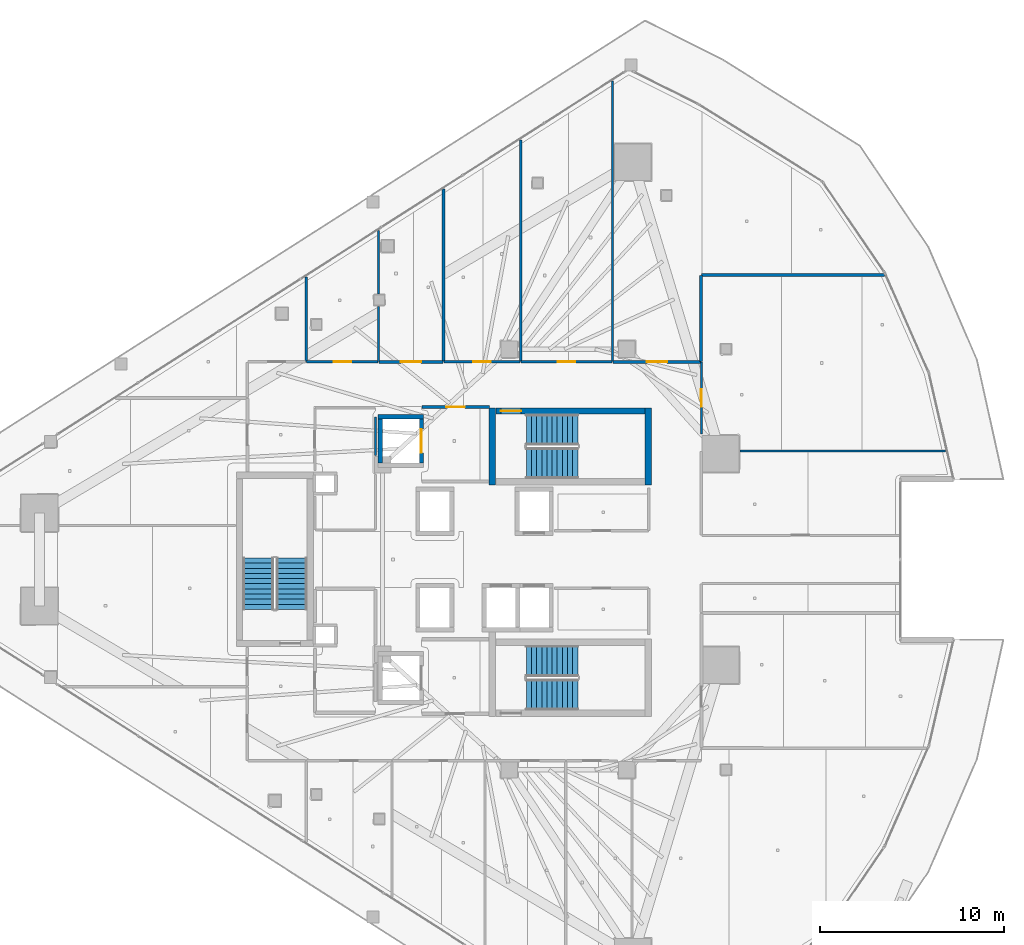
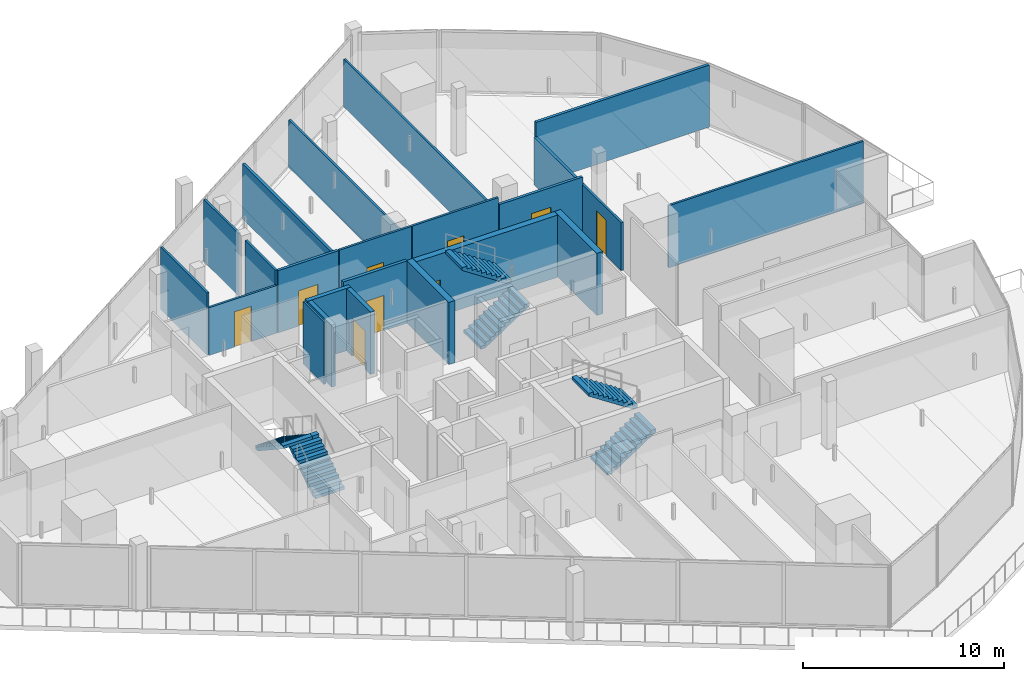
# One storey, part 24 of 33: 23 walls, 9 doors, 6 stair flights, 9 openings, 3 elements without a shape of their own.
"""IFC4 building model written with IfcOpenShell, lengths in metres."""

from ifc_helpers import new_model, si_unit, direction, frame, frame_2d, origin, place, context, subcontext, project, spatial, polyline, rectangle, outline, extrude, material, layer, layer_set, type_object, element, fill, aggregate, save


model = new_model("IFC4")

# Units and contexts
model_context = context("Model", 3, precision=1e-05, world=origin(), true_north=direction((0.0, 1.0)))
body_context = subcontext(model_context, "Body", "Model", "MODEL_VIEW")
ifc_project = project(units=[si_unit("LENGTHUNIT", "METRE"), si_unit("AREAUNIT", "SQUARE_METRE"), si_unit("VOLUMEUNIT", "CUBIC_METRE"), si_unit("PLANEANGLEUNIT", "RADIAN"), si_unit("MASSUNIT", "GRAM", prefix="KILO")], contexts=[model_context])

# Site, building, storey
site_placement = place(None, origin())
site = spatial("IfcSite", under=ifc_project, at=site_placement, CompositionType="ELEMENT")
building_placement = place(site_placement, origin())
building = spatial("IfcBuilding", under=site, at=building_placement, Name="Qorvath Tower", CompositionType="ELEMENT")
storey_placement = place(building_placement, frame((0.0, 0.0, 209.10009765625)))
storey = spatial("IfcBuildingStorey", under=building, at=storey_placement, Name="L48", CompositionType="ELEMENT", Elevation=209.10009765625)

# Wall, opening, door
ifc_material_1 = material(Name="Gypsum shaftliner on steel studs", Category="steel")
ifc_layer_1 = layer(ifc_material_1, 0.179931640625)
ifc_layer_set_1 = layer_set([ifc_layer_1], Name="FW-LOBBY")
wall_type_1 = type_object("IfcWallType", Name="FW-LOBBY", PredefinedType="PARTITIONING", material=ifc_layer_set_1)
wall_1_placement = place(storey_placement, frame((-24.68408203125, 8.300048828125, 0.0), z_axis=(0.0, 0.0, 1.0), x_axis=(-1.0, 0.0, 0.0)))
wall_1 = element("IfcWall", 1, at=wall_1_placement, inside=storey, type_object=wall_type_1, Name="Interior Partition IW-T1-L48-002", PredefinedType="PARTITIONING", context=body_context, shape_type="SweptSolid", body=[
    extrude(rectangle(XDim=3.6708984375, YDim=0.179931640625, at=frame_2d((1.83544921875, 0.0))), origin(), (0.0, 0.0, 1.0), 3.77978515625),
])
opening_1_placement = place(wall_1_placement, frame((1.33544921875, 0.0, 0.0)))
opening_1 = element("IfcOpeningElement", 2, at=opening_1_placement, cuts=wall_1, Name="Opening D-T1-L48-21", PredefinedType="OPENING", context=body_context, shape_type="SweptSolid", body=[
    extrude(rectangle(XDim=1.0, YDim=2.14990234375, at=frame_2d((0.5, 1.074951171875))), frame((0.0, 0.10009765625, 0.0), z_axis=(0.0, -1.0, 0.0), x_axis=(1.0, 0.0, 0.0)), (0.0, 0.0, 1.0), 0.199951171875),
])
ifc_material_2 = material(Name="Painted galvanised hollow metal", Category="steel")
door_type_1 = type_object("IfcDoorType", Name="FD-60", OperationType="NOTDEFINED", PredefinedType="DOOR", material=ifc_material_2)
door_1_placement = place(opening_1_placement, origin())
door_1 = element("IfcDoor", 3, at=door_1_placement, inside=storey, type_object=door_type_1, Name="Lobby Fire Service Elevator North Door D-T1-L48-21", OperationType="SINGLE_SWING_LEFT", OverallHeight=2.14990234375, OverallWidth=1.0, PredefinedType="DOOR", context=body_context, shape_type="SweptSolid", body=[
    extrude(rectangle(XDim=1.0, YDim=2.14990234375, at=frame_2d((0.5, 1.074951171875))), frame((0.0, 0.02490234375, 0.0), z_axis=(0.0, -1.0, 0.0), x_axis=(1.0, 0.0, 0.0)), (0.0, 0.0, 1.0), 0.050048828125),
])
fill(opening_1, door_1)

ifc_material_3 = material(Name="Double acoustic gypsum board on steel studs", Category="steel")
ifc_layer_2 = layer(ifc_material_3, 0.159912109375)
ifc_layer_set_2 = layer_set([ifc_layer_2], Name="IW-ACOUSTIC-160")
wall_type_2 = type_object("IfcWallType", Name="IW-ACOUSTIC-160", PredefinedType="PARTITIONING", material=ifc_layer_set_2)
wall_2_placement = place(storey_placement, frame((-30.68798828125, 10.758056640625, 0.0), z_axis=(0.0, 0.0, 1.0), x_axis=(1.0, 0.0, 0.0)))
wall_2 = element("IfcWall", 4, at=wall_2_placement, inside=storey, type_object=wall_type_2, Name="Interior Partition IW-T1-L48-025", PredefinedType="PARTITIONING", context=body_context, shape_type="SweptSolid", body=[
    extrude(rectangle(XDim=3.4814453125, YDim=0.159912109375, at=frame_2d((1.74072265625, 0.0))), origin(), (0.0, 0.0, 1.0), 3.77978515625),
])
opening_2_placement = place(wall_2_placement, frame((1.190673828125, 0.0, 0.0)))
opening_2 = element("IfcOpeningElement", 5, at=opening_2_placement, cuts=wall_2, Name="Opening D-T1-L48-06", PredefinedType="OPENING", context=body_context, shape_type="SweptSolid", body=[
    extrude(rectangle(XDim=1.10009765625, YDim=2.14990234375, at=frame_2d((0.550048828125, 1.074951171875))), frame((0.0, 0.08984375, 0.0), z_axis=(0.0, -1.0, 0.0), x_axis=(1.0, 0.0, 0.0)), (0.0, 0.0, 1.0), 0.179931640625),
])
ifc_material_4 = material(Name="Anodised aluminium acoustic framed glass", Category="aluminium")
door_type_2 = type_object("IfcDoorType", Name="D-03", OperationType="NOTDEFINED", PredefinedType="DOOR", material=ifc_material_4)
door_2_placement = place(opening_2_placement, origin())
door_2 = element("IfcDoor", 6, at=door_2_placement, inside=storey, type_object=door_type_2, Name="L48-02 Enclosed Conference Suite Door D-T1-L48-06", OperationType="SINGLE_SWING_RIGHT", OverallHeight=2.14990234375, OverallWidth=1.10009765625, PredefinedType="DOOR", context=body_context, shape_type="SweptSolid", body=[
    extrude(rectangle(XDim=1.10009765625, YDim=2.14990234375, at=frame_2d((0.550048828125, 1.074951171875))), frame((0.0, 0.02490234375, 0.0), z_axis=(0.0, -1.0, 0.0), x_axis=(1.0, 0.0, 0.0)), (0.0, 0.0, 1.0), 0.050048828125),
])
fill(opening_2, door_2)

# Wall
wall_3_placement = place(storey_placement, frame((-27.181640625, 10.783203125, 0.0), z_axis=(0.0, 0.0, 1.0), x_axis=(0.0, 1.0, 0.0)))
element("IfcWall", 7, at=wall_3_placement, inside=storey, type_object=wall_type_2, Name="Interior Partition IW-T1-L48-026", PredefinedType="PARTITIONING", context=body_context, shape_type="SweptSolid", body=[
    extrude(rectangle(XDim=9.377685546875, YDim=0.159912109375, at=frame_2d((4.68896484375, 0.0))), origin(), (0.0, 0.0, 1.0), 3.343994140625),
])

# Wall, opening, door
wall_4_placement = place(storey_placement, frame((-17.948486328125, 10.758056640625, 0.0), z_axis=(0.0, 0.0, 1.0), x_axis=(1.0, 0.0, 0.0)))
wall_4 = element("IfcWall", 8, at=wall_4_placement, inside=storey, type_object=wall_type_2, Name="Interior Partition IW-T1-L48-031", PredefinedType="PARTITIONING", context=body_context, shape_type="SweptSolid", body=[
    extrude(rectangle(XDim=4.773681640625, YDim=0.159912109375, at=frame_2d((2.38671875, 0.0))), origin(), (0.0, 0.0, 1.0), 3.343994140625),
])
opening_3_placement = place(wall_4_placement, frame((1.8369140625, 0.0, 0.0)))
opening_3 = element("IfcOpeningElement", 9, at=opening_3_placement, cuts=wall_4, Name="Opening D-T1-L48-09", PredefinedType="OPENING", context=body_context, shape_type="SweptSolid", body=[
    extrude(rectangle(XDim=1.10009765625, YDim=2.14990234375, at=frame_2d((0.550048828125, 1.074951171875))), frame((0.0, 0.08984375, 0.0), z_axis=(0.0, -1.0, 0.0), x_axis=(1.0, 0.0, 0.0)), (0.0, 0.0, 1.0), 0.179931640625),
])
door_3_placement = place(opening_3_placement, origin())
door_3 = element("IfcDoor", 10, at=door_3_placement, inside=storey, type_object=door_type_2, Name="L48-05 Client Services Office Door D-T1-L48-09", OperationType="SINGLE_SWING_LEFT", OverallHeight=2.14990234375, OverallWidth=1.10009765625, PredefinedType="DOOR", context=body_context, shape_type="SweptSolid", body=[
    extrude(rectangle(XDim=1.10009765625, YDim=2.14990234375, at=frame_2d((0.550048828125, 1.074951171875))), frame((0.0, 0.02490234375, 0.0), z_axis=(0.0, -1.0, 0.0), x_axis=(1.0, 0.0, 0.0)), (0.0, 0.0, 1.0), 0.050048828125),
])
fill(opening_3, door_3)

# Walls
wall_5_placement = place(storey_placement, frame((-13.14990234375, 15.452880859375, 0.0), z_axis=(0.0, 0.0, 1.0), x_axis=(0.0, -1.0, 0.0)))
element("IfcWall", 11, at=wall_5_placement, inside=storey, type_object=wall_type_2, Name="Interior Partition IW-T1-L48-032", PredefinedType="PARTITIONING", context=body_context, shape_type="SweptSolid", body=[
    extrude(rectangle(XDim=4.669677734375, YDim=0.159912109375, at=frame_2d((2.3349609375, 0.0))), origin(), (0.0, 0.0, 1.0), 2.899658203125),
])
wall_6_placement = place(storey_placement, frame((-13.125, 15.47802734375, 0.0), z_axis=(0.0, 0.0, 1.0), x_axis=(0.999999153788, 0.001300931643, 0.0)))
element("IfcWall", 12, at=wall_6_placement, inside=storey, type_object=wall_type_2, Name="Interior Partition IW-T1-L48-033", PredefinedType="PARTITIONING", context=body_context, shape_type="SweptSolid", body=[
    extrude(rectangle(XDim=9.9462890625, YDim=0.159912109375, at=frame_2d((4.97314453125, 0.0))), origin(), (0.0, 0.0, 1.0), 3.77978515625),
])

# Wall, opening, door
ifc_material_5 = material(Name="Gypsum board on metal studs with mineral wool", Category="gypsum")
ifc_layer_3 = layer(ifc_material_5, 0.125)
ifc_layer_set_3 = layer_set([ifc_layer_3], Name="IW-PART-125")
wall_type_3 = type_object("IfcWallType", Name="IW-PART-125", PredefinedType="PARTITIONING", material=ifc_layer_set_3)
wall_7_placement = place(storey_placement, frame((-34.625, 10.758056640625, 0.0), z_axis=(0.0, 0.0, 1.0), x_axis=(1.0, 0.0, 0.0)))
wall_7 = element("IfcWall", 13, at=wall_7_placement, inside=storey, type_object=wall_type_3, Name="Interior Partition IW-T1-L48-021", PredefinedType="PARTITIONING", context=body_context, shape_type="SweptSolid", body=[
    extrude(rectangle(XDim=3.87890625, YDim=0.125, at=frame_2d((1.939453125, 0.0))), origin(), (0.0, 0.0, 1.0), 2.899658203125),
])
opening_4_placement = place(wall_7_placement, frame((1.46435546875, 0.0, 0.0)))
opening_4 = element("IfcOpeningElement", 14, at=opening_4_placement, cuts=wall_7, Name="Opening D-T1-L48-05", PredefinedType="OPENING", context=body_context, shape_type="SweptSolid", body=[
    extrude(rectangle(XDim=0.949951171875, YDim=2.14990234375, at=frame_2d((0.47509765625, 1.074951171875))), frame((0.0, 0.072509765625, 0.0), z_axis=(0.0, -1.0, 0.0), x_axis=(1.0, 0.0, 0.0)), (0.0, 0.0, 1.0), 0.14501953125),
])
ifc_material_6 = material(Name="Solid-core American white oak veneer", Category="wood")
door_type_3 = type_object("IfcDoorType", Name="D-01", OperationType="NOTDEFINED", PredefinedType="DOOR", material=ifc_material_6)
door_4_placement = place(opening_4_placement, origin())
door_4 = element("IfcDoor", 15, at=door_4_placement, inside=storey, type_object=door_type_3, Name="L48-01 Open Workplace Studio Door D-T1-L48-05", OperationType="SINGLE_SWING_LEFT", OverallHeight=2.14990234375, OverallWidth=0.949951171875, PredefinedType="DOOR", context=body_context, shape_type="SweptSolid", body=[
    extrude(rectangle(XDim=0.949951171875, YDim=2.14990234375, at=frame_2d((0.47509765625, 1.074951171875))), frame((0.0, 0.02490234375, 0.0), z_axis=(0.0, -1.0, 0.0), x_axis=(1.0, 0.0, 0.0)), (0.0, 0.0, 1.0), 0.050048828125),
])
fill(opening_4, door_4)

# Walls
wall_8_placement = place(storey_placement, frame((-30.72119140625, 10.783203125, 0.0), z_axis=(0.0, 0.0, 1.0), x_axis=(0.0, 1.0, 0.0)))
element("IfcWall", 16, at=wall_8_placement, inside=storey, type_object=wall_type_3, Name="Interior Partition IW-T1-L48-022", PredefinedType="PARTITIONING", context=body_context, shape_type="SweptSolid", body=[
    extrude(rectangle(XDim=3.0009765625, YDim=0.125, at=frame_2d((1.50048828125, 0.0))), origin(), (0.0, 0.0, 1.0), 3.77978515625),
])
wall_9_placement = place(storey_placement, frame((-30.72119140625, 14.46435546875, 0.0), z_axis=(0.0, 0.0, 1.0), x_axis=(0.0, 1.0, 0.0)))
element("IfcWall", 17, at=wall_9_placement, inside=storey, type_object=wall_type_3, Name="Interior Partition IW-T1-L48-023", PredefinedType="PARTITIONING", context=body_context, shape_type="SweptSolid", body=[
    extrude(rectangle(XDim=3.43408203125, YDim=0.125, at=frame_2d((1.717041015625, 0.0))), origin(), (0.0, 0.0, 1.0), 3.77978515625),
])
wall_10_placement = place(storey_placement, frame((-34.64990234375, 15.3876953125, 0.0), z_axis=(0.0, 0.0, 1.0), x_axis=(0.0, -1.0, 0.0)))
element("IfcWall", 18, at=wall_10_placement, inside=storey, type_object=wall_type_3, Name="Interior Partition IW-T1-L48-024", PredefinedType="PARTITIONING", context=body_context, shape_type="SweptSolid", body=[
    extrude(rectangle(XDim=4.6044921875, YDim=0.125, at=frame_2d((2.30224609375, 0.0))), origin(), (0.0, 0.0, 1.0), 3.77978515625),
])

# Wall, opening, door
wall_11_placement = place(storey_placement, frame((-27.148681640625, 10.758056640625, 0.0), z_axis=(0.0, 0.0, 1.0), x_axis=(1.0, 0.0, 0.0)))
wall_11 = element("IfcWall", 19, at=wall_11_placement, inside=storey, type_object=wall_type_3, Name="Interior Partition IW-T1-L48-027", PredefinedType="PARTITIONING", context=body_context, shape_type="SweptSolid", body=[
    extrude(rectangle(XDim=4.14306640625, YDim=0.125, at=frame_2d((2.071533203125, 0.0))), origin(), (0.0, 0.0, 1.0), 3.77978515625),
])
opening_5_placement = place(wall_11_placement, frame((1.596435546875, 0.0, 0.0)))
opening_5 = element("IfcOpeningElement", 20, at=opening_5_placement, cuts=wall_11, Name="Opening D-T1-L48-07", PredefinedType="OPENING", context=body_context, shape_type="SweptSolid", body=[
    extrude(rectangle(XDim=0.949951171875, YDim=2.14990234375, at=frame_2d((0.47509765625, 1.074951171875))), frame((0.0, 0.072509765625, 0.0), z_axis=(0.0, -1.0, 0.0), x_axis=(1.0, 0.0, 0.0)), (0.0, 0.0, 1.0), 0.14501953125),
])
door_5_placement = place(opening_5_placement, origin())
door_5 = element("IfcDoor", 21, at=door_5_placement, inside=storey, type_object=door_type_3, Name="L48-03 Focus Collaboration Pod Door D-T1-L48-07", OperationType="SINGLE_SWING_LEFT", OverallHeight=2.14990234375, OverallWidth=0.949951171875, PredefinedType="DOOR", context=body_context, shape_type="SweptSolid", body=[
    extrude(rectangle(XDim=0.949951171875, YDim=2.14990234375, at=frame_2d((0.47509765625, 1.074951171875))), frame((0.0, 0.02490234375, 0.0), z_axis=(0.0, -1.0, 0.0), x_axis=(1.0, 0.0, 0.0)), (0.0, 0.0, 1.0), 0.050048828125),
])
fill(opening_5, door_5)

# Wall
wall_12_placement = place(storey_placement, frame((-22.980712890625, 10.783203125, 0.0), z_axis=(0.0, 0.0, 1.0), x_axis=(0.0, 1.0, 0.0)))
element("IfcWall", 22, at=wall_12_placement, inside=storey, type_object=wall_type_3, Name="Interior Partition IW-T1-L48-028", PredefinedType="PARTITIONING", context=body_context, shape_type="SweptSolid", body=[
    extrude(rectangle(XDim=12.0625, YDim=0.125, at=frame_2d((6.03125, 0.0))), origin(), (0.0, 0.0, 1.0), 2.894775390625),
])

# Wall, opening, door
wall_13_placement = place(storey_placement, frame((-22.947998046875, 10.758056640625, 0.0), z_axis=(0.0, 0.0, 1.0), x_axis=(1.0, 0.0, 0.0)))
wall_13 = element("IfcWall", 23, at=wall_13_placement, inside=storey, type_object=wall_type_3, Name="Interior Partition IW-T1-L48-029", PredefinedType="PARTITIONING", context=body_context, shape_type="SweptSolid", body=[
    extrude(rectangle(XDim=4.941650390625, YDim=0.125, at=frame_2d((2.470703125, 0.0))), origin(), (0.0, 0.0, 1.0), 3.77978515625),
])
opening_6_placement = place(wall_13_placement, frame((1.995849609375, 0.0, 0.0)))
opening_6 = element("IfcOpeningElement", 24, at=opening_6_placement, cuts=wall_13, Name="Opening D-T1-L48-08", PredefinedType="OPENING", context=body_context, shape_type="SweptSolid", body=[
    extrude(rectangle(XDim=0.949951171875, YDim=2.14990234375, at=frame_2d((0.47509765625, 1.074951171875))), frame((0.0, 0.072509765625, 0.0), z_axis=(0.0, -1.0, 0.0), x_axis=(1.0, 0.0, 0.0)), (0.0, 0.0, 1.0), 0.14501953125),
])
door_6_placement = place(opening_6_placement, origin())
door_6 = element("IfcDoor", 25, at=door_6_placement, inside=storey, type_object=door_type_3, Name="L48-04 Staff Refreshment Pantry and Coffee Bar Door D-T1-L48-08", OperationType="SINGLE_SWING_RIGHT", OverallHeight=2.14990234375, OverallWidth=0.949951171875, PredefinedType="DOOR", context=body_context, shape_type="SweptSolid", body=[
    extrude(rectangle(XDim=0.949951171875, YDim=2.14990234375, at=frame_2d((0.47509765625, 1.074951171875))), frame((0.0, 0.02490234375, 0.0), z_axis=(0.0, -1.0, 0.0), x_axis=(1.0, 0.0, 0.0)), (0.0, 0.0, 1.0), 0.050048828125),
])
fill(opening_6, door_6)

# Walls
wall_14_placement = place(storey_placement, frame((-17.9814453125, 10.783203125, 0.0), z_axis=(0.0, 0.0, 1.0), x_axis=(0.0, 1.0, 0.0)))
element("IfcWall", 26, at=wall_14_placement, inside=storey, type_object=wall_type_3, Name="Interior Partition IW-T1-L48-030", PredefinedType="PARTITIONING", context=body_context, shape_type="SweptSolid", body=[
    extrude(rectangle(XDim=15.2578125, YDim=0.125, at=frame_2d((7.62890625, 0.0))), origin(), (0.0, 0.0, 1.0), 2.894775390625),
])
wall_15_placement = place(storey_placement, frame((0.154052734375, 5.905517578125, 0.0), z_axis=(0.0, 0.0, 1.0), x_axis=(-1.0, 0.0, 0.0)))
element("IfcWall", 27, at=wall_15_placement, inside=storey, type_object=wall_type_3, Name="Interior Partition IW-T1-L48-048", PredefinedType="PARTITIONING", context=body_context, shape_type="SweptSolid", body=[
    extrude(rectangle(XDim=11.185791015625, YDim=0.125, at=frame_2d((5.5927734375, 0.0))), origin(), (0.0, 0.0, 1.0), 3.77978515625),
])

# Wall, opening, door
wall_16_placement = place(storey_placement, frame((-13.13818359375, 10.75830078125, 0.0), z_axis=(0.0, 0.0, 1.0), x_axis=(0.000868539904, -0.999999622819, 0.0)))
wall_16 = element("IfcWall", 28, at=wall_16_placement, inside=storey, type_object=wall_type_3, Name="Interior Partition IW-T1-L48-053", PredefinedType="PARTITIONING", context=body_context, shape_type="SweptSolid", body=[
    extrude(rectangle(XDim=3.935302734375, YDim=0.125, at=frame_2d((1.9677734375, 0.0))), origin(), (0.0, 0.0, 1.0), 2.899658203125),
])
opening_7_placement = place(wall_16_placement, frame((1.49267578125, 0.0, 0.0)))
opening_7 = element("IfcOpeningElement", 29, at=opening_7_placement, cuts=wall_16, Name="Opening D-T1-L48-16", PredefinedType="OPENING", context=body_context, shape_type="SweptSolid", body=[
    extrude(rectangle(XDim=0.949951171875, YDim=2.14990234375, at=frame_2d((0.47509765625, 1.074951171875))), frame((0.0, 0.072509765625, 0.0), z_axis=(0.0, -1.0, 0.0), x_axis=(1.0, 0.0, 0.0)), (0.0, 0.0, 1.0), 0.14501953125),
])
door_7_placement = place(opening_7_placement, origin())
door_7 = element("IfcDoor", 30, at=door_7_placement, inside=storey, type_object=door_type_3, Name="L48-13 Open Workplace Studio Door D-T1-L48-16", OperationType="SINGLE_SWING_RIGHT", OverallHeight=2.14990234375, OverallWidth=0.949951171875, PredefinedType="DOOR", context=body_context, shape_type="SweptSolid", body=[
    extrude(rectangle(XDim=0.949951171875, YDim=2.14990234375, at=frame_2d((0.47509765625, 1.074951171875))), frame((0.0, 0.02490234375, 0.0), z_axis=(0.0, -1.0, 0.0), x_axis=(1.0, 0.0, 0.0)), (0.0, 0.0, 1.0), 0.050048828125),
])
fill(opening_7, door_7)

# Walls
ifc_material_7 = material(Name="Moisture-resistant cement board on metal studs", Category="gypsum")
ifc_layer_4 = layer(ifc_material_7, 0.110107421875)
ifc_layer_set_4 = layer_set([ifc_layer_4], Name="IW-WC-110")
wall_type_4 = type_object("IfcWallType", Name="IW-WC-110", PredefinedType="PARTITIONING", material=ifc_layer_set_4)
wall_17_placement = place(storey_placement, frame((-30.8798828125, 5.6650390625, 0.0), z_axis=(0.0, 0.0, 1.0), x_axis=(0.0, 1.0, 0.0)))
element("IfcWall", 31, at=wall_17_placement, inside=storey, type_object=wall_type_4, Name="Interior Partition IW-T1-L48-007", PredefinedType="PARTITIONING", context=body_context, shape_type="SweptSolid", body=[
    extrude(rectangle(XDim=2.077880859375, YDim=0.110107421875, at=frame_2d((1.0390625, 0.0))), origin(), (0.0, 0.0, 1.0), 3.77978515625),
])
ifc_material_8 = material(Name="Concrete C60/75", Category="concrete")
ifc_layer_5 = layer(ifc_material_8, 0.260009765625)
ifc_layer_set_5 = layer_set([ifc_layer_5], Name="SW-SHAFT")
wall_type_5 = type_object("IfcWallType", Name="SW-SHAFT", PredefinedType="SHEAR", material=ifc_layer_set_5)
wall_18_placement = place(storey_placement, frame((-30.739990234375, 7.77001953125, 0.0), z_axis=(0.0, 0.0, 1.0), x_axis=(1.0, 0.0, 0.0)))
element("IfcWall", 32, at=wall_18_placement, inside=storey, type_object=wall_type_5, Name="Hoistway Wall FSAE-1 L48 N", PredefinedType="SHEAR", context=body_context, shape_type="SweptSolid", body=[
    extrude(rectangle(XDim=2.47998046875, YDim=0.239990234375, at=frame_2d((1.239990234375, 0.0))), origin(), (0.0, 0.0, 1.0), 3.77978515625),
])
wall_19_placement = place(storey_placement, frame((-30.6201171875, 5.261962890625, 0.0), z_axis=(0.0, 0.0, 1.0), x_axis=(0.0, 1.0, 0.0)))
element("IfcWall", 33, at=wall_19_placement, inside=storey, type_object=wall_type_5, Name="Hoistway Wall FSAE-1 L48 W", PredefinedType="SHEAR", context=body_context, shape_type="SweptSolid", body=[
    extrude(rectangle(XDim=2.3759765625, YDim=0.239990234375, at=frame_2d((1.18798828125, 0.0))), origin(), (0.0, 0.0, 1.0), 3.77978515625),
])

# Wall, opening, door
wall_20_placement = place(storey_placement, frame((-28.3798828125, 7.637939453125, 0.0), z_axis=(0.0, 0.0, 1.0), x_axis=(0.0, -1.0, 0.0)))
wall_20 = element("IfcWall", 34, at=wall_20_placement, inside=storey, type_object=wall_type_5, Name="Hoistway Wall FSAE-1 L48 E", PredefinedType="SHEAR", context=body_context, shape_type="SweptSolid", body=[
    extrude(rectangle(XDim=2.3759765625, YDim=0.239990234375, at=frame_2d((1.18798828125, 0.0))), origin(), (0.0, 0.0, 1.0), 3.77978515625),
])
opening_8_placement = place(wall_20_placement, frame((0.537841796875, 0.0, 0.0)))
opening_8 = element("IfcOpeningElement", 35, at=opening_8_placement, cuts=wall_20, Name="Opening LD-FSAE-1-L48", PredefinedType="OPENING", context=body_context, shape_type="SweptSolid", body=[
    extrude(rectangle(XDim=1.300048828125, YDim=2.300048828125, at=frame_2d((0.64990234375, 1.14990234375))), frame((0.0, 0.1298828125, 0.0), z_axis=(0.0, -1.0, 0.0), x_axis=(1.0, 0.0, 0.0)), (0.0, 0.0, 1.0), 0.260009765625),
])
ifc_material_9 = material(Name="Brushed stainless steel AISI 316", Category="steel")
door_type_4 = type_object("IfcDoorType", Name="LD-02", OperationType="NOTDEFINED", PredefinedType="DOOR", material=ifc_material_9)
door_8_placement = place(opening_8_placement, origin())
door_8 = element("IfcDoor", 36, at=door_8_placement, inside=storey, type_object=door_type_4, Name="Elevator Landing Sliding Door LD-FSAE-1-L48", OperationType="DOUBLE_DOOR_SLIDING", OverallHeight=2.300048828125, OverallWidth=1.300048828125, PredefinedType="DOOR", context=body_context, shape_type="SweptSolid", body=[
    extrude(rectangle(XDim=1.300048828125, YDim=2.300048828125, at=frame_2d((0.64990234375, 1.14990234375))), frame((0.0, 0.02490234375, 0.0), z_axis=(0.0, -1.0, 0.0), x_axis=(1.0, 0.0, 0.0)), (0.0, 0.0, 1.0), 0.050048828125),
])
fill(opening_8, door_8)

# Walls
ifc_material_10 = material(Name="Concrete C60/75", Category="concrete")
ifc_layer_6 = layer(ifc_material_10, 0.35009765625)
ifc_layer_set_6 = layer_set([ifc_layer_6], Name="SW-STAIR")
wall_type_6 = type_object("IfcWallType", Name="SW-STAIR", PredefinedType="SHEAR", material=ifc_layer_set_6)
for number, where, z_axis, x_axis, name in (
    (37, (-24.52490234375, 8.260009765625, 0.0), (0.0, 0.0, 1.0), (0.0, -1.0, 0.0), "Stair TS1 Shear Wall L48 NEAR"),
    (38, (-16.02490234375, 4.050048828125, 0.0), (0.0, 0.0, 1.0), (0.0, 1.0, 0.0), "Stair TS1 Shear Wall L48 FAR"),
):
    element("IfcWall", number, at=place(storey_placement, frame(where, z_axis=z_axis, x_axis=x_axis)), inside=storey, type_object=wall_type_6, Name=name, PredefinedType="SHEAR", context=body_context, shape_type="SweptSolid", body=[
        extrude(rectangle(XDim=4.2099609375, YDim=0.35009765625, at=frame_2d((2.10498046875, 0.0))), origin(), (0.0, 0.0, 1.0), 3.77978515625),
    ])

# Wall, opening, door
wall_21_placement = place(storey_placement, frame((-16.215087890625, 8.0849609375, 0.0), z_axis=(0.0, 0.0, 1.0), x_axis=(-1.0, 0.0, 0.0)))
wall_21 = element("IfcWall", 39, at=wall_21_placement, inside=storey, type_object=wall_type_6, Name="Stair TS1 Shear Wall L48 RIGHT", PredefinedType="SHEAR", context=body_context, shape_type="SweptSolid", body=[
    extrude(rectangle(XDim=8.119873046875, YDim=0.35009765625, at=frame_2d((4.06005859375, 0.0))), origin(), (0.0, 0.0, 1.0), 3.77978515625),
])
opening_9_placement = place(wall_21_placement, frame((6.739990234375, 0.0, 0.0)))
opening_9 = element("IfcOpeningElement", 40, at=opening_9_placement, cuts=wall_21, Name="Opening D-TS1-L48", PredefinedType="OPENING", context=body_context, shape_type="SweptSolid", body=[
    extrude(rectangle(XDim=1.10009765625, YDim=2.199951171875, at=frame_2d((0.550048828125, 1.10009765625))), frame((0.0, 0.18505859375, 0.0), z_axis=(0.0, -1.0, 0.0), x_axis=(1.0, 0.0, 0.0)), (0.0, 0.0, 1.0), 0.3701171875),
])
ifc_material_11 = material(Name="Painted galvanised hollow metal", Category="steel")
door_type_5 = type_object("IfcDoorType", Name="FD-90", OperationType="NOTDEFINED", PredefinedType="DOOR", material=ifc_material_11)
door_9_placement = place(opening_9_placement, origin())
door_9 = element("IfcDoor", 41, at=door_9_placement, inside=storey, type_object=door_type_5, Name="Stair TS1 Fire Door L48", OperationType="SINGLE_SWING_LEFT", OverallHeight=2.199951171875, OverallWidth=1.10009765625, PredefinedType="DOOR", context=body_context, shape_type="SweptSolid", body=[
    extrude(rectangle(XDim=1.10009765625, YDim=2.199951171875, at=frame_2d((0.550048828125, 1.10009765625))), frame((0.0, 0.02490234375, 0.0), z_axis=(0.0, -1.0, 0.0), x_axis=(1.0, 0.0, 0.0)), (0.0, 0.0, 1.0), 0.050048828125),
])
fill(opening_9, door_9)

# Stair, stair flights
ifc_material_12 = material(Name="Concrete C50/60", Category="concrete")
stair_type = type_object("IfcStairType", Name="ST-H405", PredefinedType="HALF_TURN_STAIR", material=ifc_material_12)
stair_1_placement = place(storey_placement, origin())
stair_1 = element("IfcStair", 42, at=stair_1_placement, inside=storey, type_object=stair_type, Name="L48 Tower Exit Stair 1", PredefinedType="HALF_TURN_STAIR")
ifc_material_13 = material(Name="Concrete C50/60", Category="concrete")
ifc_layer_7 = layer(ifc_material_13, 0.14990234375)
ifc_layer_set_7 = layer_set([ifc_layer_7], Name="SF-H405")
stair_flight_type = type_object("IfcStairFlightType", Name="SF-H405", PredefinedType="STRAIGHT", material=ifc_layer_set_7)
stair_flight_1_placement = place(storey_placement, frame((-22.669921875, 5.239990234375, 0.0), z_axis=(0.0, 0.0, 1.0), x_axis=(1.0, 0.0, 0.0)))
stair_flight_1 = element("IfcStairFlight", 43, at=stair_flight_1_placement, type_object=stair_flight_type, Name="TS1 flight 1", NumberOfRisers=11, NumberOfTreads=10, PredefinedType="STRAIGHT", RiserHeight=0.184090909, TreadLength=0.28, context=body_context, shape_type="SweptSolid", body=[
    extrude(outline(polyline([(0.0, 0.0), (0.0, 0.18408203125), (0.280029296875, 0.18408203125), (0.280029296875, 0.3681640625), (0.56005859375, 0.3681640625), (0.56005859375, 0.55224609375), (0.840087890625, 0.55224609375), (0.840087890625, 0.736328125), (1.1201171875, 0.736328125), (1.1201171875, 0.92041015625), (1.39990234375, 0.92041015625), (1.39990234375, 1.1044921875), (1.679931640625, 1.1044921875), (1.679931640625, 1.28857421875), (1.9599609375, 1.28857421875), (1.9599609375, 1.47265625), (2.239990234375, 1.47265625), (2.239990234375, 1.65673828125), (2.52001953125, 1.65673828125), (2.52001953125, 1.8408203125), (2.800048828125, 1.8408203125), (2.800048828125, 2.02490234375), (2.800048828125, 1.66162109375), (0.27294921875, 0.0), (0.0, 0.0)])), frame((0.0, 0.83984375, 0.0), z_axis=(0.0, -1.0, 0.0), x_axis=(1.0, 0.0, 0.0)), (0.0, 0.0, 1.0), 1.679931640625),
])
stair_flight_2_placement = place(storey_placement, frame((-19.8701171875, 7.070068359375, 2.02490234375), z_axis=(0.0, 0.0, 1.0), x_axis=(-1.0, 0.0, 0.0)))
stair_flight_2 = element("IfcStairFlight", 44, at=stair_flight_2_placement, type_object=stair_flight_type, Name="TS1 flight 2", NumberOfRisers=11, NumberOfTreads=10, PredefinedType="STRAIGHT", RiserHeight=0.184090909, TreadLength=0.28, context=body_context, shape_type="SweptSolid", body=[
    extrude(outline(polyline([(0.0, 0.0), (0.0, 0.18408203125), (0.280029296875, 0.18408203125), (0.280029296875, 0.3681640625), (0.56005859375, 0.3681640625), (0.56005859375, 0.55224609375), (0.840087890625, 0.55224609375), (0.840087890625, 0.736328125), (1.1201171875, 0.736328125), (1.1201171875, 0.92041015625), (1.39990234375, 0.92041015625), (1.39990234375, 1.1044921875), (1.679931640625, 1.1044921875), (1.679931640625, 1.28857421875), (1.9599609375, 1.28857421875), (1.9599609375, 1.47265625), (2.239990234375, 1.47265625), (2.239990234375, 1.65673828125), (2.52001953125, 1.65673828125), (2.52001953125, 1.8408203125), (2.800048828125, 1.8408203125), (2.800048828125, 2.02490234375), (2.800048828125, 1.66162109375), (0.27294921875, 0.0), (0.0, 0.0)])), frame((0.0, 0.83984375, 0.0), z_axis=(0.0, -1.0, 0.0), x_axis=(1.0, 0.0, 0.0)), (0.0, 0.0, 1.0), 1.679931640625),
])
aggregate(stair_1, [stair_flight_1, stair_flight_2])

stair_2_placement = place(storey_placement, origin())
stair_2 = element("IfcStair", 45, at=stair_2_placement, inside=storey, type_object=stair_type, Name="L48 Tower Exit Stair 2", PredefinedType="HALF_TURN_STAIR")
stair_flight_3_placement = place(storey_placement, frame((-22.669921875, -7.360107421875, 0.0), z_axis=(0.0, 0.0, 1.0), x_axis=(1.0, 0.0, 0.0)))
stair_flight_3 = element("IfcStairFlight", 46, at=stair_flight_3_placement, type_object=stair_flight_type, Name="TS2 flight 1", NumberOfRisers=11, NumberOfTreads=10, PredefinedType="STRAIGHT", RiserHeight=0.184090909, TreadLength=0.28, context=body_context, shape_type="SweptSolid", body=[
    extrude(outline(polyline([(0.0, 0.0), (0.0, 0.18408203125), (0.280029296875, 0.18408203125), (0.280029296875, 0.3681640625), (0.56005859375, 0.3681640625), (0.56005859375, 0.55224609375), (0.840087890625, 0.55224609375), (0.840087890625, 0.736328125), (1.1201171875, 0.736328125), (1.1201171875, 0.92041015625), (1.39990234375, 0.92041015625), (1.39990234375, 1.1044921875), (1.679931640625, 1.1044921875), (1.679931640625, 1.28857421875), (1.9599609375, 1.28857421875), (1.9599609375, 1.47265625), (2.239990234375, 1.47265625), (2.239990234375, 1.65673828125), (2.52001953125, 1.65673828125), (2.52001953125, 1.8408203125), (2.800048828125, 1.8408203125), (2.800048828125, 2.02490234375), (2.800048828125, 1.66162109375), (0.27294921875, 0.0), (0.0, 0.0)])), frame((0.0, 0.83984375, 0.0), z_axis=(0.0, -1.0, 0.0), x_axis=(1.0, 0.0, 0.0)), (0.0, 0.0, 1.0), 1.679931640625),
])
stair_flight_4_placement = place(storey_placement, frame((-19.8701171875, -5.530029296875, 2.02490234375), z_axis=(0.0, 0.0, 1.0), x_axis=(-1.0, 0.0, 0.0)))
stair_flight_4 = element("IfcStairFlight", 47, at=stair_flight_4_placement, type_object=stair_flight_type, Name="TS2 flight 2", NumberOfRisers=11, NumberOfTreads=10, PredefinedType="STRAIGHT", RiserHeight=0.184090909, TreadLength=0.28, context=body_context, shape_type="SweptSolid", body=[
    extrude(outline(polyline([(0.0, 0.0), (0.0, 0.18408203125), (0.280029296875, 0.18408203125), (0.280029296875, 0.3681640625), (0.56005859375, 0.3681640625), (0.56005859375, 0.55224609375), (0.840087890625, 0.55224609375), (0.840087890625, 0.736328125), (1.1201171875, 0.736328125), (1.1201171875, 0.92041015625), (1.39990234375, 0.92041015625), (1.39990234375, 1.1044921875), (1.679931640625, 1.1044921875), (1.679931640625, 1.28857421875), (1.9599609375, 1.28857421875), (1.9599609375, 1.47265625), (2.239990234375, 1.47265625), (2.239990234375, 1.65673828125), (2.52001953125, 1.65673828125), (2.52001953125, 1.8408203125), (2.800048828125, 1.8408203125), (2.800048828125, 2.02490234375), (2.800048828125, 1.66162109375), (0.27294921875, 0.0), (0.0, 0.0)])), frame((0.0, 0.83984375, 0.0), z_axis=(0.0, -1.0, 0.0), x_axis=(1.0, 0.0, 0.0)), (0.0, 0.0, 1.0), 1.679931640625),
])
aggregate(stair_2, [stair_flight_3, stair_flight_4])

stair_3_placement = place(storey_placement, origin())
stair_3 = element("IfcStair", 48, at=stair_3_placement, inside=storey, type_object=stair_type, Name="L48 Tower Exit Stair 3", PredefinedType="HALF_TURN_STAIR")
stair_flight_5_placement = place(storey_placement, frame((-35.43994140625, -2.719970703125, 0.0), z_axis=(0.0, 0.0, 1.0), x_axis=(0.0, 1.0, 0.0)))
stair_flight_5 = element("IfcStairFlight", 49, at=stair_flight_5_placement, type_object=stair_flight_type, Name="TS3 flight 1", NumberOfRisers=11, NumberOfTreads=10, PredefinedType="STRAIGHT", RiserHeight=0.184090909, TreadLength=0.28, context=body_context, shape_type="SweptSolid", body=[
    extrude(outline(polyline([(0.0, 0.0), (0.0, 0.18408203125), (0.280029296875, 0.18408203125), (0.280029296875, 0.3681640625), (0.56005859375, 0.3681640625), (0.56005859375, 0.55224609375), (0.840087890625, 0.55224609375), (0.840087890625, 0.736328125), (1.1201171875, 0.736328125), (1.1201171875, 0.92041015625), (1.39990234375, 0.92041015625), (1.39990234375, 1.1044921875), (1.679931640625, 1.1044921875), (1.679931640625, 1.28857421875), (1.9599609375, 1.28857421875), (1.9599609375, 1.47265625), (2.239990234375, 1.47265625), (2.239990234375, 1.65673828125), (2.52001953125, 1.65673828125), (2.52001953125, 1.8408203125), (2.800048828125, 1.8408203125), (2.800048828125, 2.02490234375), (2.800048828125, 1.66162109375), (0.27294921875, 0.0), (0.0, 0.0)])), frame((0.0, 0.83984375, 0.0), z_axis=(0.0, -1.0, 0.0), x_axis=(1.0, 0.0, 0.0)), (0.0, 0.0, 1.0), 1.679931640625),
])
stair_flight_6_placement = place(storey_placement, frame((-37.27001953125, 0.080078125, 2.02490234375), z_axis=(0.0, 0.0, 1.0), x_axis=(0.0, -1.0, 0.0)))
stair_flight_6 = element("IfcStairFlight", 50, at=stair_flight_6_placement, type_object=stair_flight_type, Name="TS3 flight 2", NumberOfRisers=11, NumberOfTreads=10, PredefinedType="STRAIGHT", RiserHeight=0.184090909, TreadLength=0.28, context=body_context, shape_type="SweptSolid", body=[
    extrude(outline(polyline([(0.0, 0.0), (0.0, 0.18408203125), (0.280029296875, 0.18408203125), (0.280029296875, 0.3681640625), (0.56005859375, 0.3681640625), (0.56005859375, 0.55224609375), (0.840087890625, 0.55224609375), (0.840087890625, 0.736328125), (1.1201171875, 0.736328125), (1.1201171875, 0.92041015625), (1.39990234375, 0.92041015625), (1.39990234375, 1.1044921875), (1.679931640625, 1.1044921875), (1.679931640625, 1.28857421875), (1.9599609375, 1.28857421875), (1.9599609375, 1.47265625), (2.239990234375, 1.47265625), (2.239990234375, 1.65673828125), (2.52001953125, 1.65673828125), (2.52001953125, 1.8408203125), (2.800048828125, 1.8408203125), (2.800048828125, 2.02490234375), (2.800048828125, 1.66162109375), (0.27294921875, 0.0), (0.0, 0.0)])), frame((0.0, 0.83984375, 0.0), z_axis=(0.0, -1.0, 0.0), x_axis=(1.0, 0.0, 0.0)), (0.0, 0.0, 1.0), 1.679931640625),
])
aggregate(stair_3, [stair_flight_5, stair_flight_6])

save(model, "model.ifc")
